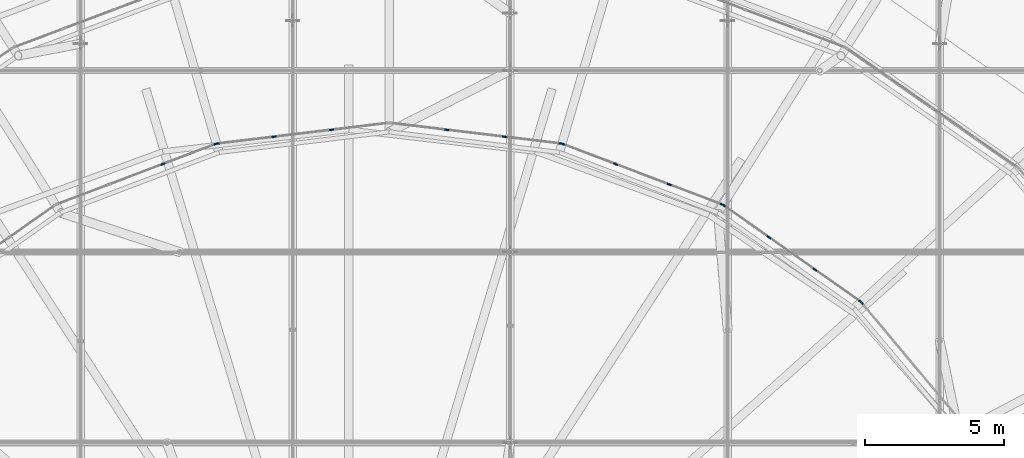
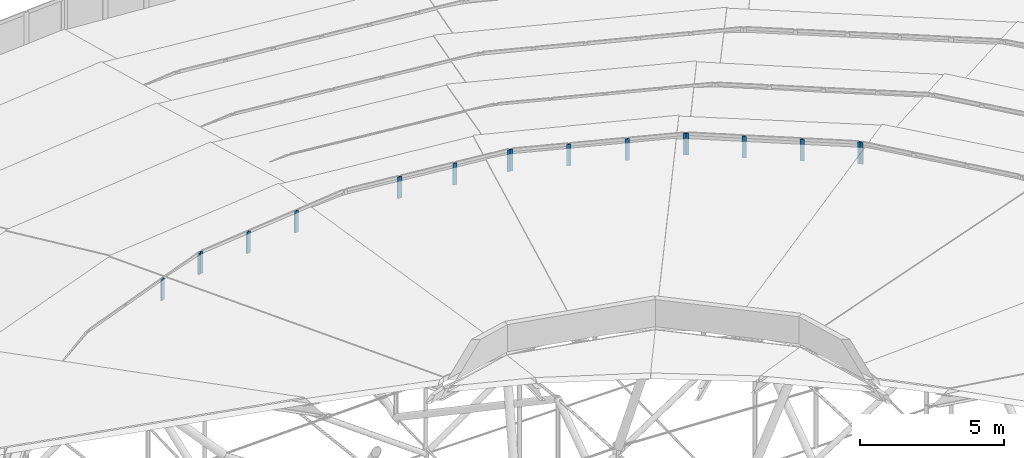
# One storey, part 131 of 173: 17 members, 6 elements without a shape of their own.
"""IFC4 building model written with IfcOpenShell, lengths in metres."""

from ifc_helpers import new_model, si_unit, direction, frame, origin, origin_2d, place, context, subcontext, project, spatial, rectangle, extrude, material, material_profile, profile_set, type_object, element, aggregate, save


model = new_model("IFC4")

# Units and contexts
model_context = context("Model", 3, precision=1e-05, world=origin(), true_north=direction((0.0, 1.0)))
body_context = subcontext(model_context, "Body", "Model", "MODEL_VIEW")
ifc_project = project(units=[si_unit("LENGTHUNIT", "METRE"), si_unit("AREAUNIT", "SQUARE_METRE"), si_unit("VOLUMEUNIT", "CUBIC_METRE"), si_unit("PLANEANGLEUNIT", "RADIAN"), si_unit("MASSUNIT", "GRAM", prefix="KILO")], contexts=[model_context])

# Site, building, storey
site_placement = place(None, origin())
site = spatial("IfcSite", under=ifc_project, at=site_placement, CompositionType="ELEMENT")
building_placement = place(site_placement, origin())
building = spatial("IfcBuilding", under=site, at=building_placement, Name="Glasvene Arena", CompositionType="ELEMENT")
storey_placement = place(building_placement, frame((0.0, 0.0, 28.800048828125)))
storey = spatial("IfcBuildingStorey", under=building, at=storey_placement, Name="RF", CompositionType="ELEMENT", Elevation=28.800048828125)

# Curtain wall, member
ifc_material_1 = material(Name="Low-emissivity laminated double glazing", Category="glass")
curtain_wall_type_1 = type_object("IfcCurtainWallType", Name="CW-PET4-594x92", PredefinedType="USERDEFINED", material=ifc_material_1)
curtain_wall_1_placement = place(storey_placement, frame((108.4345703125, 80.550048828125, 0.0)))
curtain_wall_1 = element("IfcCurtainWall", 1, at=curtain_wall_1_placement, inside=storey, type_object=curtain_wall_type_1, Name="Petal ring 4-5 clerestory curtain wall 03", ObjectType="CURTAIN WALL", PredefinedType="USERDEFINED")
ifc_material_2 = material(Name="Anodised architectural aluminium", Category="aluminium")
ifc_material_profile = material_profile(ifc_material_2, rectangle(XDim=0.050048828125, YDim=0.159912109375, at=origin_2d()), Name="ALU MULLION 50x160")
ifc_profile_set = profile_set([ifc_material_profile], Name="Anodised architectural aluminium")
member_type = type_object("IfcMemberType", Name="CW-MUL-150", PredefinedType="MULLION", material=ifc_profile_set)
member_1_placement = place(storey_placement, frame((104.63671875, 85.087158203125, 10.530029296875), z_axis=(0.0, 0.0, 1.0), x_axis=(-0.766805446496, -0.64187958935, 0.0)))
member_1 = element("IfcMember", 2, at=member_1_placement, type_object=member_type, Name="CW-101 mullion 4", PredefinedType="MULLION", context=body_context, shape_type="SweptSolid", body=[
    extrude(rectangle(XDim=0.050048828125, YDim=0.159912109375, at=origin_2d()), origin(), (0.0, 0.0, 1.0), 0.916015625),
])
aggregate(curtain_wall_1, [member_1])

# Curtain wall, members
curtain_wall_type_2 = type_object("IfcCurtainWallType", Name="CW-PET4-608x92", PredefinedType="USERDEFINED", material=ifc_material_1)
curtain_wall_2_placement = place(storey_placement, frame((104.62060546875, 85.106201171875, 0.0)))
curtain_wall_2 = element("IfcCurtainWall", 3, at=curtain_wall_2_placement, inside=storey, type_object=curtain_wall_type_2, Name="Petal ring 4-5 clerestory curtain wall 04", ObjectType="CURTAIN WALL", PredefinedType="USERDEFINED")
member_2_placement = place(storey_placement, frame((104.60009765625, 85.12060546875, 10.530029296875), z_axis=(0.0, 0.0, 1.0), x_axis=(-0.575325052204, -0.817924864707, 0.0)))
member_2 = element("IfcMember", 4, at=member_2_placement, type_object=member_type, Name="CW-102 mullion 1", PredefinedType="MULLION", context=body_context, shape_type="SweptSolid", body=[
    extrude(rectangle(XDim=0.050048828125, YDim=0.159912109375, at=origin_2d()), origin(), (0.0, 0.0, 1.0), 0.916015625),
])
member_3_placement = place(storey_placement, frame((102.963623046875, 86.271728515625, 10.530029296875), z_axis=(0.0, 0.0, 1.0), x_axis=(-0.575325052204, -0.817924864707, 0.0)))
member_3 = element("IfcMember", 5, at=member_3_placement, type_object=member_type, Name="CW-102 mullion 2", PredefinedType="MULLION", context=body_context, shape_type="SweptSolid", body=[
    extrude(rectangle(XDim=0.050048828125, YDim=0.159912109375, at=origin_2d()), origin(), (0.0, 0.0, 1.0), 0.916015625),
])
member_4_placement = place(storey_placement, frame((101.306884765625, 87.437255859375, 10.530029296875), z_axis=(0.0, 0.0, 1.0), x_axis=(-0.575325052204, -0.817924864707, 0.0)))
member_4 = element("IfcMember", 6, at=member_4_placement, type_object=member_type, Name="CW-102 mullion 3", PredefinedType="MULLION", context=body_context, shape_type="SweptSolid", body=[
    extrude(rectangle(XDim=0.050048828125, YDim=0.159912109375, at=origin_2d()), origin(), (0.0, 0.0, 1.0), 0.916015625),
])
member_5_placement = place(storey_placement, frame((99.67041015625, 88.588134765625, 10.530029296875), z_axis=(0.0, 0.0, 1.0), x_axis=(-0.575325052204, -0.817924864707, 0.0)))
member_5 = element("IfcMember", 7, at=member_5_placement, type_object=member_type, Name="CW-102 mullion 4", PredefinedType="MULLION", context=body_context, shape_type="SweptSolid", body=[
    extrude(rectangle(XDim=0.050048828125, YDim=0.159912109375, at=origin_2d()), origin(), (0.0, 0.0, 1.0), 0.916015625),
])
aggregate(curtain_wall_2, [member_2, member_3, member_4, member_5])

curtain_wall_type_3 = type_object("IfcCurtainWallType", Name="CW-PET4-619x92", PredefinedType="USERDEFINED", material=ifc_material_1)
curtain_wall_3_placement = place(storey_placement, frame((99.64990234375, 88.6025390625, 0.0)))
curtain_wall_3 = element("IfcCurtainWall", 8, at=curtain_wall_3_placement, inside=storey, type_object=curtain_wall_type_3, Name="Petal ring 4-5 clerestory curtain wall 05", ObjectType="CURTAIN WALL", PredefinedType="USERDEFINED")
member_6_placement = place(storey_placement, frame((99.626708984375, 88.611572265625, 10.530029296875), z_axis=(0.0, 0.0, 1.0), x_axis=(-0.354970202415, -0.934877615197, 0.0)))
member_6 = element("IfcMember", 9, at=member_6_placement, type_object=member_type, Name="CW-103 mullion 1", PredefinedType="MULLION", context=body_context, shape_type="SweptSolid", body=[
    extrude(rectangle(XDim=0.050048828125, YDim=0.159912109375, at=origin_2d()), origin(), (0.0, 0.0, 1.0), 0.916015625),
])
member_7_placement = place(storey_placement, frame((97.720458984375, 89.335205078125, 10.530029296875), z_axis=(0.0, 0.0, 1.0), x_axis=(-0.354970202415, -0.934877615197, 0.0)))
member_7 = element("IfcMember", 10, at=member_7_placement, type_object=member_type, Name="CW-103 mullion 2", PredefinedType="MULLION", context=body_context, shape_type="SweptSolid", body=[
    extrude(rectangle(XDim=0.050048828125, YDim=0.159912109375, at=origin_2d()), origin(), (0.0, 0.0, 1.0), 0.916015625),
])
member_8_placement = place(storey_placement, frame((95.791015625, 90.06787109375, 10.530029296875), z_axis=(0.0, 0.0, 1.0), x_axis=(-0.354970202415, -0.934877615197, 0.0)))
member_8 = element("IfcMember", 11, at=member_8_placement, type_object=member_type, Name="CW-103 mullion 3", PredefinedType="MULLION", context=body_context, shape_type="SweptSolid", body=[
    extrude(rectangle(XDim=0.050048828125, YDim=0.159912109375, at=origin_2d()), origin(), (0.0, 0.0, 1.0), 0.916015625),
])
member_9_placement = place(storey_placement, frame((93.885009765625, 90.79150390625, 10.530029296875), z_axis=(0.0, 0.0, 1.0), x_axis=(-0.354970202415, -0.934877615197, 0.0)))
member_9 = element("IfcMember", 12, at=member_9_placement, type_object=member_type, Name="CW-103 mullion 4", PredefinedType="MULLION", context=body_context, shape_type="SweptSolid", body=[
    extrude(rectangle(XDim=0.050048828125, YDim=0.159912109375, at=origin_2d()), origin(), (0.0, 0.0, 1.0), 0.916015625),
])
aggregate(curtain_wall_3, [member_6, member_7, member_8, member_9])

curtain_wall_type_4 = type_object("IfcCurtainWallType", Name="CW-PET4-626x92", PredefinedType="USERDEFINED", material=ifc_material_1)
curtain_wall_4_placement = place(storey_placement, frame((93.86181640625, 90.80029296875, 0.0)))
curtain_wall_4 = element("IfcCurtainWall", 13, at=curtain_wall_4_placement, inside=storey, type_object=curtain_wall_type_4, Name="Petal ring 4-5 clerestory curtain wall 06", ObjectType="CURTAIN WALL", PredefinedType="USERDEFINED")
member_10_placement = place(storey_placement, frame((93.8369140625, 90.803466796875, 10.530029296875), z_axis=(0.0, 0.0, 1.0), x_axis=(-0.119806308194, -0.992797284705, 0.0)))
member_10 = element("IfcMember", 14, at=member_10_placement, type_object=member_type, Name="CW-104 mullion 1", PredefinedType="MULLION", context=body_context, shape_type="SweptSolid", body=[
    extrude(rectangle(XDim=0.050048828125, YDim=0.159912109375, at=origin_2d()), origin(), (0.0, 0.0, 1.0), 0.916015625),
])
member_11_placement = place(storey_placement, frame((91.791015625, 91.05029296875, 10.530029296875), z_axis=(0.0, 0.0, 1.0), x_axis=(-0.119806308194, -0.992797284705, 0.0)))
member_11 = element("IfcMember", 15, at=member_11_placement, type_object=member_type, Name="CW-104 mullion 2", PredefinedType="MULLION", context=body_context, shape_type="SweptSolid", body=[
    extrude(rectangle(XDim=0.050048828125, YDim=0.159912109375, at=origin_2d()), origin(), (0.0, 0.0, 1.0), 0.916015625),
])
member_12_placement = place(storey_placement, frame((89.720458984375, 91.300048828125, 10.530029296875), z_axis=(0.0, 0.0, 1.0), x_axis=(-0.119806308194, -0.992797284705, 0.0)))
member_12 = element("IfcMember", 16, at=member_12_placement, type_object=member_type, Name="CW-104 mullion 3", PredefinedType="MULLION", context=body_context, shape_type="SweptSolid", body=[
    extrude(rectangle(XDim=0.050048828125, YDim=0.159912109375, at=origin_2d()), origin(), (0.0, 0.0, 1.0), 0.916015625),
])
aggregate(curtain_wall_4, [member_10, member_11, member_12])

curtain_wall_5_placement = place(storey_placement, frame((87.64990234375, 91.550048828125, 0.0)))
curtain_wall_5 = element("IfcCurtainWall", 17, at=curtain_wall_5_placement, inside=storey, type_object=curtain_wall_type_4, Name="Petal ring 4-5 clerestory curtain wall 07", ObjectType="CURTAIN WALL", PredefinedType="USERDEFINED")
member_13_placement = place(storey_placement, frame((85.579345703125, 91.300048828125, 10.530029296875), z_axis=(0.0, 0.0, 1.0), x_axis=(0.119806308194, -0.992797284705, 0.0)))
member_13 = element("IfcMember", 18, at=member_13_placement, type_object=member_type, Name="CW-104 mullion 2", PredefinedType="MULLION", context=body_context, shape_type="SweptSolid", body=[
    extrude(rectangle(XDim=0.050048828125, YDim=0.159912109375, at=origin_2d()), origin(), (0.0, 0.0, 1.0), 0.916015625),
])
member_14_placement = place(storey_placement, frame((83.5087890625, 91.05029296875, 10.530029296875), z_axis=(0.0, 0.0, 1.0), x_axis=(0.119806308194, -0.992797284705, 0.0)))
member_14 = element("IfcMember", 19, at=member_14_placement, type_object=member_type, Name="CW-104 mullion 3", PredefinedType="MULLION", context=body_context, shape_type="SweptSolid", body=[
    extrude(rectangle(XDim=0.050048828125, YDim=0.159912109375, at=origin_2d()), origin(), (0.0, 0.0, 1.0), 0.916015625),
])
member_15_placement = place(storey_placement, frame((81.463134765625, 90.803466796875, 10.530029296875), z_axis=(0.0, 0.0, 1.0), x_axis=(0.119806308194, -0.992797284705, 0.0)))
member_15 = element("IfcMember", 20, at=member_15_placement, type_object=member_type, Name="CW-104 mullion 4", PredefinedType="MULLION", context=body_context, shape_type="SweptSolid", body=[
    extrude(rectangle(XDim=0.050048828125, YDim=0.159912109375, at=origin_2d()), origin(), (0.0, 0.0, 1.0), 0.916015625),
])
aggregate(curtain_wall_5, [member_13, member_14, member_15])

curtain_wall_6_placement = place(storey_placement, frame((81.438232421875, 90.80029296875, 0.0)))
curtain_wall_6 = element("IfcCurtainWall", 21, at=curtain_wall_6_placement, inside=storey, type_object=curtain_wall_type_3, Name="Petal ring 4-5 clerestory curtain wall 08", ObjectType="CURTAIN WALL", PredefinedType="USERDEFINED")
member_16_placement = place(storey_placement, frame((81.4150390625, 90.79150390625, 10.530029296875), z_axis=(0.0, 0.0, 1.0), x_axis=(0.354970202415, -0.934877615197, 0.0)))
member_16 = element("IfcMember", 22, at=member_16_placement, type_object=member_type, Name="CW-103 mullion 1", PredefinedType="MULLION", context=body_context, shape_type="SweptSolid", body=[
    extrude(rectangle(XDim=0.050048828125, YDim=0.159912109375, at=origin_2d()), origin(), (0.0, 0.0, 1.0), 0.916015625),
])
member_17_placement = place(storey_placement, frame((79.5087890625, 90.06787109375, 10.530029296875), z_axis=(0.0, 0.0, 1.0), x_axis=(0.354970202415, -0.934877615197, 0.0)))
member_17 = element("IfcMember", 23, at=member_17_placement, type_object=member_type, Name="CW-103 mullion 2", PredefinedType="MULLION", context=body_context, shape_type="SweptSolid", body=[
    extrude(rectangle(XDim=0.050048828125, YDim=0.159912109375, at=origin_2d()), origin(), (0.0, 0.0, 1.0), 0.916015625),
])
aggregate(curtain_wall_6, [member_16, member_17])

save(model, "model.ifc")
